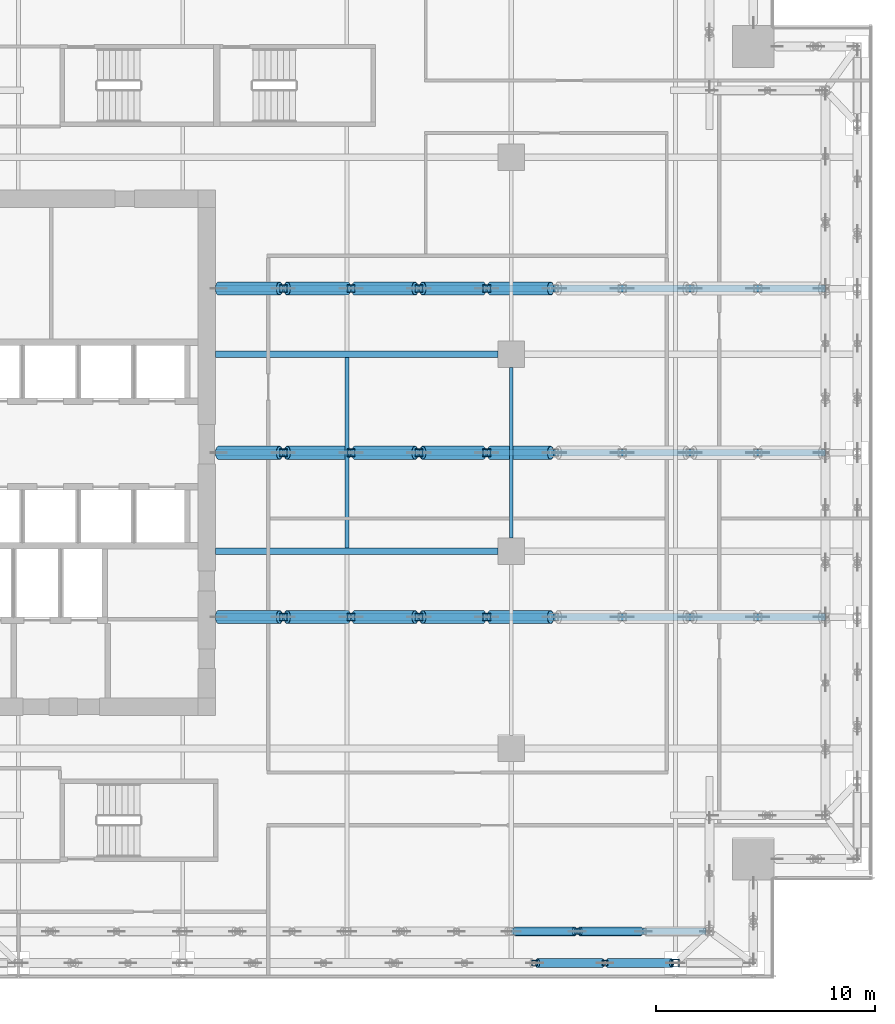
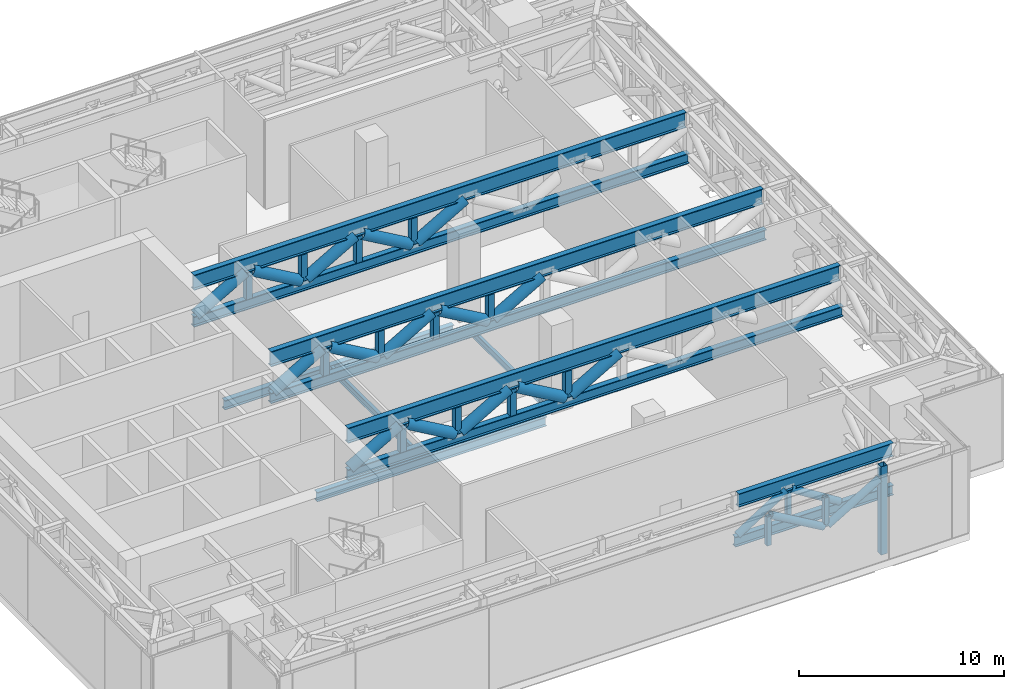
# One storey, part 9 of 36: 43 members, 4 beams.
"""IFC4 building model written with IfcOpenShell, lengths in metres."""

import ifcopenshell
import ifcopenshell.guid

model = None  # the IFC model being written
_history = None  # IfcOwnerHistory: only IFC2X3 demands one
_inside = {}  # id of a spatial element -> (the spatial element, [elements in it])
_under = {}  # id of a project, library or spatial element -> (it, [spatial elements below it])
_declared = {}  # id of a project -> (the project, [libraries it declares])
_typed = {}  # id of a type object -> (the type object, [elements of that type])
_made_of = {}  # id of a material, layer set ... -> (it, [elements and type objects made of it])


def new_model(schema):
    """Start an empty IFC model of exactly this schema.

    Asked for "IFC4X3", IfcOpenShell would pick the latest addendum, in which some entities
    have other attributes; the version numbers below select the first issue.
    IFC2X3 requires an IfcOwnerHistory on every rooted entity: one is made here for all.
    """
    global model, _history
    if schema == "IFC4X3":
        model = ifcopenshell.file(schema_version=(4, 3, 0, 0))
    else:
        model = ifcopenshell.file(schema=schema)
    _inside.clear()
    _under.clear()
    _declared.clear()
    _typed.clear()
    _made_of.clear()
    _history = None
    if model.schema == "IFC2X3":
        org = make("IfcOrganization", Name="unknown")
        user = make(
            "IfcPersonAndOrganization",
            ThePerson=make("IfcPerson", FamilyName="unknown"),
            TheOrganization=org,
        )
        app = make(
            "IfcApplication",
            ApplicationDeveloper=org,
            Version="unknown",
            ApplicationFullName="unknown",
            ApplicationIdentifier="unknown",
        )
        _history = make(
            "IfcOwnerHistory",
            OwningUser=user,
            OwningApplication=app,
            ChangeAction="ADDED",
            CreationDate=0,
        )
    return model


def make(cls, **values):
    """One entity of the class cls with the attributes given. An attribute that is None is left unset."""
    return model.create_entity(
        cls, **{name: value for name, value in values.items() if value is not None}
    )


def rooted(cls, **values):
    """An entity with a GlobalId (a new one), such as an element, a storey or a relation."""
    return make(cls, GlobalId=ifcopenshell.guid.new(), OwnerHistory=_history, **values)


def si_unit(unit_type, name, prefix=None):
    """IfcSIUnit, for example si_unit("LENGTHUNIT", "METRE", prefix="MILLI")."""
    return make("IfcSIUnit", UnitType=unit_type, Prefix=prefix, Name=name)


def assignment(units):
    """IfcUnitAssignment: the units of a project."""
    return None if units is None else make("IfcUnitAssignment", Units=units)


def point(xyz):
    """IfcCartesianPoint."""
    return None if xyz is None else make("IfcCartesianPoint", Coordinates=xyz)


def direction(xyz):
    """IfcDirection."""
    return None if xyz is None else make("IfcDirection", DirectionRatios=xyz)


def frame(location, z_axis=None, x_axis=None):
    """IfcAxis2Placement3D, a coordinate frame: its origin and axes. An axis left out is left unset."""
    return make(
        "IfcAxis2Placement3D",
        Location=point(location),
        Axis=direction(z_axis),
        RefDirection=direction(x_axis),
    )


def frame_2d(location, x_axis=None):
    """IfcAxis2Placement2D, a coordinate frame in the plane: its origin and x axis."""
    return make(
        "IfcAxis2Placement2D", Location=point(location), RefDirection=direction(x_axis)
    )


def origin():
    """The frame at (0, 0, 0) with its axes left unset."""
    return frame((0.0, 0.0, 0.0))


def origin_2d():
    """The frame at (0, 0) in the plane with its x axis left unset."""
    return frame_2d((0.0, 0.0))


def place(relative_to, where):
    """IfcLocalPlacement: puts the frame where relative to a parent placement (None: the world)."""
    return make(
        "IfcLocalPlacement", PlacementRelTo=relative_to, RelativePlacement=where
    )


def context(
    kind, dimensions, precision=None, world=None, true_north=None, identifier=None
):
    """IfcGeometricRepresentationContext, for example the 3D "Model" context."""
    return make(
        "IfcGeometricRepresentationContext",
        ContextIdentifier=identifier,
        ContextType=kind,
        CoordinateSpaceDimension=dimensions,
        Precision=precision,
        WorldCoordinateSystem=world,
        TrueNorth=true_north,
    )


def subcontext(parent, identifier, kind, view, scale=None):
    """IfcGeometricRepresentationSubContext, for example "Body" below "Model"."""
    return make(
        "IfcGeometricRepresentationSubContext",
        ContextIdentifier=identifier,
        ContextType=kind,
        ParentContext=parent,
        TargetScale=scale,
        TargetView=view,
    )


def project(units=None, contexts=None):
    """IfcProject with its units and contexts."""
    return rooted(
        "IfcProject",
        Name="project",
        RepresentationContexts=contexts,
        UnitsInContext=assignment(units),
    )


def spatial(cls, under=None, at=None, **own):
    """A site, building, storey or space (cls), placed at a placement, below another one or the project."""
    s = rooted(cls, ObjectPlacement=at, **own)
    if under is not None:
        _under.setdefault(under.id(), (under, []))[1].append(s)
    return s


def profile(cls, at=None, kind="AREA", **sizes):
    """A parametric profile (cls). Its sizes go by their IFC names, for example OverallWidth=200.0."""
    return make(cls, ProfileType=kind, Position=at, **sizes)


def hollow_rectangle(**sizes):
    """IfcRectangleHollowProfileDef."""
    return profile("IfcRectangleHollowProfileDef", **sizes)


def hollow_circle(**sizes):
    """IfcCircleHollowProfileDef."""
    return profile("IfcCircleHollowProfileDef", **sizes)


def i_section(**sizes):
    """IfcIShapeProfileDef."""
    return profile("IfcIShapeProfileDef", **sizes)


def extrude(swept, where, along, depth):
    """IfcExtrudedAreaSolid: the profile swept, set in the frame where, extruded along a direction by depth."""
    return make(
        "IfcExtrudedAreaSolid",
        SweptArea=swept,
        Position=where,
        ExtrudedDirection=direction(along),
        Depth=depth,
    )


def shape(context_of_items, identifier, shape_type, items):
    """IfcShapeRepresentation: the items that make up one representation, for example the "Body"."""
    return make(
        "IfcShapeRepresentation",
        ContextOfItems=context_of_items,
        RepresentationIdentifier=identifier,
        RepresentationType=shape_type,
        Items=items,
    )


def source(mapping_origin, context_of_items, identifier, shape_type, items):
    """IfcRepresentationMap: a shape defined once, which mapped items show again and again."""
    return make(
        "IfcRepresentationMap",
        MappingOrigin=mapping_origin,
        MappedRepresentation=shape(context_of_items, identifier, shape_type, items),
    )


def transform(
    local_origin,
    x_axis=None,
    y_axis=None,
    z_axis=None,
    scale=None,
    scale2=None,
    scale3=None,
    uniform=True,
):
    """IfcCartesianTransformationOperator3D, or its non-uniform kind. x_axis, y_axis, z_axis: its Axis1, 2, 3."""
    if uniform:
        return make(
            "IfcCartesianTransformationOperator3D",
            Axis1=direction(x_axis),
            Axis2=direction(y_axis),
            LocalOrigin=point(local_origin),
            Scale=scale,
            Axis3=direction(z_axis),
        )
    return make(
        "IfcCartesianTransformationOperator3DnonUniform",
        Axis1=direction(x_axis),
        Axis2=direction(y_axis),
        LocalOrigin=point(local_origin),
        Scale=scale,
        Axis3=direction(z_axis),
        Scale2=scale2,
        Scale3=scale3,
    )


def mapped(mapping_source, mapping_target):
    """IfcMappedItem: shows the shape of a source again, moved by a transform."""
    return make(
        "IfcMappedItem", MappingSource=mapping_source, MappingTarget=mapping_target
    )


def material(Name=None, Category=None):
    """IfcMaterial."""
    return make("IfcMaterial", Name=Name, Category=Category)


def material_profile(
    of_material, cross_section, Name=None, Category=None, Priority=None
):
    """IfcMaterialProfile: a cross section and its material."""
    return make(
        "IfcMaterialProfile",
        Name=Name,
        Material=of_material,
        Profile=cross_section,
        Priority=Priority,
        Category=Category,
    )


def profile_set(profiles, Name=None, composite=None):
    """IfcMaterialProfileSet."""
    return make(
        "IfcMaterialProfileSet",
        Name=Name,
        MaterialProfiles=profiles,
        CompositeProfile=composite,
    )


def made_of(thing, what):
    """Note that an element or type object is made of a material, layer set ...; save() writes the relation."""
    if what is not None:
        _made_of.setdefault(what.id(), (what, []))[1].append(thing)
    return thing


def type_object(cls, material=None, **own):
    """A type object (cls), such as IfcWallType, which elements share."""
    return made_of(rooted(cls, **own), material)


def element(
    cls,
    number,
    at=None,
    inside=None,
    cuts=None,
    type_object=None,
    material=None,
    context=None,
    identifier="Body",
    shape_type=None,
    held_by="IfcProductDefinitionShape",
    body=None,
    shapes=None,
    **own,
):
    """One element of the class cls, such as IfcWall. Its Tag is "e" and its number.

    at: its placement. inside: the storey or other place that contains it. cuts: it is an
    opening in that element (IfcRelVoidsElement). A single representation is given by context,
    identifier, shape_type and body (its items); several are given by shapes. held_by: the class
    of the entity that holds the representations. save() writes the other relations.
    """
    e = rooted(cls, Tag="e%d" % number, ObjectPlacement=at, **own)
    if body is not None:
        shapes = [shape(context, identifier, shape_type, body)]
    if shapes is not None:
        e.Representation = make(held_by, Representations=shapes)
    if inside is not None:
        _inside.setdefault(inside.id(), (inside, []))[1].append(e)
    if cuts is not None:
        rooted(
            "IfcRelVoidsElement", RelatingBuildingElement=cuts, RelatedOpeningElement=e
        )
    if type_object is not None:
        _typed.setdefault(type_object.id(), (type_object, []))[1].append(e)
    return made_of(e, material)


def aggregate(whole, parts):
    """IfcRelAggregates: a whole, such as a stair, and the parts it consists of."""
    return rooted("IfcRelAggregates", RelatingObject=whole, RelatedObjects=parts)


def save(model, path):
    """Write the relations noted so far, then the file.

    IfcRelAggregates (storeys below a building ...), IfcRelContainedInSpatialStructure (elements
    in a storey), IfcRelDefinesByType, IfcRelAssociatesMaterial and IfcRelDeclares: one each for
    every whole, place, type object, material and project.
    """
    for whole, parts in _under.values():
        aggregate(whole, parts)
    for where, things in _inside.values():
        rooted(
            "IfcRelContainedInSpatialStructure",
            RelatedElements=things,
            RelatingStructure=where,
        )
    for kind, things in _typed.values():
        rooted("IfcRelDefinesByType", RelatedObjects=things, RelatingType=kind)
    for what, things in _made_of.values():
        rooted("IfcRelAssociatesMaterial", RelatedObjects=things, RelatingMaterial=what)
    for by, libraries in _declared.values():
        rooted("IfcRelDeclares", RelatingContext=by, RelatedDefinitions=libraries)
    model.write(path)


model = new_model("IFC4")

# Units and contexts
model_context = context("Model", 3, precision=1e-05, world=origin(), true_north=direction((0.0, 1.0)))
body_context = subcontext(model_context, "Body", "Model", "MODEL_VIEW")
ifc_project = project(units=[si_unit("LENGTHUNIT", "METRE"), si_unit("AREAUNIT", "SQUARE_METRE"), si_unit("VOLUMEUNIT", "CUBIC_METRE"), si_unit("PLANEANGLEUNIT", "RADIAN"), si_unit("MASSUNIT", "GRAM", prefix="KILO")], contexts=[model_context])

# Site, building, storey
site_placement = place(None, origin())
site = spatial("IfcSite", under=ifc_project, at=site_placement, CompositionType="ELEMENT")
building_placement = place(site_placement, origin())
building = spatial("IfcBuilding", under=site, at=building_placement, Name="Khomas Fold Tower", CompositionType="ELEMENT")
storey_placement = place(building_placement, frame((0.0, 0.0, 216.699951171875)))
storey = spatial("IfcBuildingStorey", under=building, at=storey_placement, Name="L48", CompositionType="ELEMENT", Elevation=216.699951171875)

# Beams
ifc_material_1 = material(Name="Steel S355", Category="steel")
ifc_material_profile_1 = material_profile(ifc_material_1, i_section(OverallWidth=0.179931640625, OverallDepth=0.39990234375, WebThickness=0.008544921875, FlangeThickness=0.013427734375, at=origin_2d()), Name="IPE 400")
ifc_profile_set_1 = profile_set([ifc_material_profile_1], Name="Steel S355")
beam_type_1 = type_object("IfcBeamType", Name="IPE 400 beam JB3", PredefinedType="BEAM", material=ifc_profile_set_1)
shared_shape_1 = source(origin(), body_context, "Body", "SweptSolid", [
    extrude(i_section(OverallWidth=0.179931640625, OverallDepth=0.39990234375, WebThickness=0.008544921875, FlangeThickness=0.013427734375, at=origin_2d()), origin(), (0.0, 0.0, 1.0), 8.7001953125),
])
beam_1_placement = place(storey_placement, frame((27.0, 22.64990234375, -0.599853515625), z_axis=(0.0, 1.0, 0.0), x_axis=(-1.0, 0.0, 0.0)))
element("IfcBeam", 1, at=beam_1_placement, inside=storey, type_object=beam_type_1, Name="JB3", PredefinedType="BEAM", context=body_context, shape_type="MappedRepresentation", body=[
    mapped(shared_shape_1, transform((0.0, 0.0, 0.0))),
])
ifc_material_2 = material(Name="Steel S355", Category="steel")
ifc_material_profile_2 = material_profile(ifc_material_2, i_section(OverallWidth=0.300048828125, OverallDepth=0.550048828125, WebThickness=0.014892578125, FlangeThickness=0.029052734375, at=origin_2d()), Name="HE 550 B")
ifc_profile_set_2 = profile_set([ifc_material_profile_2], Name="Steel S355")
beam_type_2 = type_object("IfcBeamType", Name="HE 550 B beam GB4", PredefinedType="BEAM", material=ifc_profile_set_2)
shared_shape_2 = source(origin(), body_context, "Body", "SweptSolid", [
    extrude(i_section(OverallWidth=0.300048828125, OverallDepth=0.550048828125, WebThickness=0.014892578125, FlangeThickness=0.029052734375, at=origin_2d()), origin(), (0.0, 0.0, 1.0), 12.89990234375),
])
for number, where, z_axis, x_axis, name in (
    (2, (21.0, 22.5, -0.675048828125), (1.0, 0.0, 0.0), (0.0, 1.0, 0.0), "GB4"),
    (3, (21.0, 31.5, -0.675048828125), (1.0, 0.0, 0.0), (0.0, 1.0, 0.0), "GB4"),
):
    element("IfcBeam", number, at=place(storey_placement, frame(where, z_axis=z_axis, x_axis=x_axis)), inside=storey, type_object=beam_type_2, Name=name, PredefinedType="BEAM", context=body_context, shape_type="MappedRepresentation", body=[
        mapped(shared_shape_2, transform((0.0, 0.0, 0.0))),
    ])
shared_shape_3 = source(origin(), body_context, "Body", "SweptSolid", [
    extrude(i_section(OverallWidth=0.179931640625, OverallDepth=0.39990234375, WebThickness=0.008544921875, FlangeThickness=0.013427734375, at=origin_2d()), origin(), (0.0, 0.0, 1.0), 7.7998046875),
])
beam_2_placement = place(storey_placement, frame((34.5, 23.10009765625, -0.599853515625), z_axis=(0.0, 1.0, 0.0), x_axis=(-1.0, 0.0, 0.0)))
element("IfcBeam", 4, at=beam_2_placement, inside=storey, type_object=beam_type_1, Name="JB3", PredefinedType="BEAM", context=body_context, shape_type="MappedRepresentation", body=[
    mapped(shared_shape_3, transform((0.0, 0.0, 0.0))),
])

# Members
ifc_material_3 = material(Name="Steel S355", Category="steel")
ifc_material_profile_3 = material_profile(ifc_material_3, hollow_rectangle(XDim=0.25, YDim=0.25, WallThickness=0.01611328125, at=origin_2d()), Name="SHS 250x250x16")
ifc_profile_set_3 = profile_set([ifc_material_profile_3], Name="Steel S355")
member_type_1 = type_object("IfcMemberType", Name="BELT TRUSS 3 MID POST SHS 250x250x16", PredefinedType="POST", material=ifc_profile_set_3)
shared_shape_4 = source(origin(), body_context, "Body", "SweptSolid", [
    extrude(hollow_rectangle(XDim=0.25, YDim=0.25, WallThickness=0.01611328125, at=origin_2d()), origin(), (0.0, 0.0, 1.0), 1.719970703125),
])
for number, where, z_axis, x_axis, name in (
    (5, (35.571533203125, 3.699951171875, 2.739990234375), (0.0, 0.0, 1.0), (1.0, 0.0, 0.0), "BT3-M"),
    (6, (38.78564453125, 3.699951171875, 2.739990234375), (0.0, 0.0, 1.0), (1.0, 0.0, 0.0), "BT3-M"),
    (7, (37.5166015625, 5.14990234375, 2.739990234375), (0.0, 0.0, 1.0), (1.0, 0.0, 0.0), "BT3-M"),
):
    element("IfcMember", number, at=place(storey_placement, frame(where, z_axis=z_axis, x_axis=x_axis)), inside=storey, type_object=member_type_1, Name=name, PredefinedType="POST", context=body_context, shape_type="MappedRepresentation", body=[
        mapped(shared_shape_4, transform((0.0, 0.0, 0.0))),
    ])
ifc_material_4 = material(Name="Steel S355", Category="steel")
ifc_material_profile_4 = material_profile(ifc_material_4, hollow_circle(Radius=0.203125, WallThickness=0.012451171875, at=origin_2d()), Name="CHS 406.4x12.5")
ifc_profile_set_4 = profile_set([ifc_material_profile_4], Name="Steel S355")
member_type_2 = type_object("IfcMemberType", Name="BELT TRUSS 3 DIAGONAL CHS 406.4x12.5", PredefinedType="BRACE", material=ifc_profile_set_4)
shared_shape_5 = source(origin(), body_context, "Body", "SweptSolid", [
    extrude(hollow_circle(Radius=0.203125, WallThickness=0.012451171875, at=origin_2d()), origin(), (0.0, 0.0, 1.0), 3.38916015625),
])
member_1_placement = place(storey_placement, frame((38.91064453125, 3.699951171875, 2.735107421875), z_axis=(0.859905139514, 0.0, 0.510453867688), x_axis=(0.0, 1.0, 0.0)))
element("IfcMember", 8, at=member_1_placement, inside=storey, type_object=member_type_2, Name="BT3-D", PredefinedType="BRACE", context=body_context, shape_type="MappedRepresentation", body=[
    mapped(shared_shape_5, transform((0.0, 0.0, 0.0))),
])
shared_shape_6 = source(origin(), body_context, "Body", "SweptSolid", [
    extrude(hollow_circle(Radius=0.203125, WallThickness=0.012451171875, at=origin_2d()), origin(), (0.0, 0.0, 1.0), 3.43212890625),
])
member_2_placement = place(storey_placement, frame((35.696533203125, 3.699951171875, 4.465087890625), z_axis=(0.863662775089, 0.0, -0.504070045654), x_axis=(0.0, 1.0, 0.0)))
element("IfcMember", 9, at=member_2_placement, inside=storey, type_object=member_type_2, Name="BT3-D", PredefinedType="BRACE", context=body_context, shape_type="MappedRepresentation", body=[
    mapped(shared_shape_6, transform((0.0, 0.0, 0.0))),
])
ifc_material_5 = material(Name="Steel S355", Category="steel")
ifc_material_profile_5 = material_profile(ifc_material_5, i_section(OverallWidth=0.300048828125, OverallDepth=0.7900390625, WebThickness=0.014892578125, FlangeThickness=0.028076171875, at=origin_2d()), Name="HE 800 A")
ifc_profile_set_5 = profile_set([ifc_material_profile_5], Name="Steel S355")
member_type_3 = type_object("IfcMemberType", Name="BELT TRUSS 3 TOP CHORD LONG HE 800 A", PredefinedType="CHORD", material=ifc_profile_set_5)
shared_shape_7 = source(origin(), body_context, "Body", "SweptSolid", [
    extrude(i_section(OverallWidth=0.300048828125, OverallDepth=0.7900390625, WebThickness=0.014892578125, FlangeThickness=0.028076171875, at=origin_2d()), origin(), (0.0, 0.0, 1.0), 8.699951171875),
])
member_3_placement = place(storey_placement, frame((34.675048828125, 5.14990234375, 4.85498046875), z_axis=(1.0, 0.0, 0.0), x_axis=(0.0, 1.0, 0.0)))
element("IfcMember", 10, at=member_3_placement, inside=storey, type_object=member_type_3, Name="BT3-CTL", PredefinedType="CHORD", context=body_context, shape_type="MappedRepresentation", body=[
    mapped(shared_shape_7, transform((0.0, 0.0, 0.0))),
])
ifc_material_6 = material(Name="Steel S355", Category="steel")
ifc_material_profile_6 = material_profile(ifc_material_6, i_section(OverallWidth=0.300048828125, OverallDepth=0.590087890625, WebThickness=0.012939453125, FlangeThickness=0.02490234375, at=origin_2d()), Name="HE 600 A")
ifc_profile_set_6 = profile_set([ifc_material_profile_6], Name="Steel S355")
member_type_4 = type_object("IfcMemberType", Name="BELT TRUSS 3 BOTTOM CHORD LONG HE 600 A", PredefinedType="CHORD", material=ifc_profile_set_6)
shared_shape_8 = source(origin(), body_context, "Body", "SweptSolid", [
    extrude(i_section(OverallWidth=0.300048828125, OverallDepth=0.590087890625, WebThickness=0.012939453125, FlangeThickness=0.02490234375, at=origin_2d()), origin(), (0.0, 0.0, 1.0), 8.89990234375),
])
member_4_placement = place(storey_placement, frame((34.5, 5.14990234375, 2.445068359375), z_axis=(1.0, 0.0, 0.0), x_axis=(0.0, 1.0, 0.0)))
element("IfcMember", 11, at=member_4_placement, inside=storey, type_object=member_type_4, Name="BT3-CBL", PredefinedType="CHORD", context=body_context, shape_type="MappedRepresentation", body=[
    mapped(shared_shape_8, transform((0.0, 0.0, 0.0))),
])
shared_shape_9 = source(origin(), body_context, "Body", "SweptSolid", [
    extrude(hollow_circle(Radius=0.203125, WallThickness=0.012451171875, at=origin_2d()), origin(), (0.0, 0.0, 1.0), 3.220703125),
])
member_5_placement = place(storey_placement, frame((34.675048828125, 5.14990234375, 2.735107421875), z_axis=(0.843483522339, 0.0, 0.537155049815), x_axis=(0.0, 1.0, 0.0)))
element("IfcMember", 12, at=member_5_placement, inside=storey, type_object=member_type_2, Name="BT3-D", PredefinedType="BRACE", context=body_context, shape_type="MappedRepresentation", body=[
    mapped(shared_shape_9, transform((0.0, 0.0, 0.0))),
])
shared_shape_10 = source(origin(), body_context, "Body", "SweptSolid", [
    extrude(hollow_circle(Radius=0.203125, WallThickness=0.012451171875, at=origin_2d()), origin(), (0.0, 0.0, 1.0), 3.26318359375),
])
member_6_placement = place(storey_placement, frame((37.6416015625, 5.14990234375, 4.465087890625), z_axis=(0.847901616183, 0.0, -0.53015360913), x_axis=(0.0, 1.0, 0.0)))
element("IfcMember", 13, at=member_6_placement, inside=storey, type_object=member_type_2, Name="BT3-D", PredefinedType="BRACE", context=body_context, shape_type="MappedRepresentation", body=[
    mapped(shared_shape_10, transform((0.0, 0.0, 0.0))),
])
ifc_material_7 = material(Name="Steel S355", Category="steel")
ifc_material_profile_7 = material_profile(ifc_material_7, hollow_rectangle(XDim=0.35009765625, YDim=0.35009765625, WallThickness=0.01611328125, at=origin_2d()), Name="SHS 350x350x16")
ifc_profile_set_7 = profile_set([ifc_material_profile_7], Name="Steel S355")
member_type_5 = type_object("IfcMemberType", Name="BELT TRUSS 3 COLUMN POST SHS 350x350x16", PredefinedType="POST", material=ifc_profile_set_7)
shared_shape_11 = source(origin(), body_context, "Body", "SweptSolid", [
    extrude(hollow_rectangle(XDim=0.35009765625, YDim=0.35009765625, WallThickness=0.01611328125, at=origin_2d()), origin(), (0.0, 0.0, 1.0), 5.25),
])
member_7_placement = place(storey_placement, frame((42.0, 3.699951171875, 0.0), z_axis=(0.0, 0.0, 1.0), x_axis=(1.0, 0.0, 0.0)))
element("IfcMember", 14, at=member_7_placement, inside=storey, type_object=member_type_5, Name="BT3-P", PredefinedType="POST", context=body_context, shape_type="MappedRepresentation", body=[
    mapped(shared_shape_11, transform((0.0, 0.0, 0.0))),
])
ifc_material_8 = material(Name="Steel S460M", Category="steel")
ifc_material_profile_8 = material_profile(ifc_material_8, i_section(OverallWidth=0.302001953125, OverallDepth=0.909912109375, WebThickness=0.02099609375, FlangeThickness=0.0400390625, at=origin_2d()), Name="HE 900 M")
ifc_profile_set_8 = profile_set([ifc_material_profile_8], Name="Steel S460M")
member_type_6 = type_object("IfcMemberType", Name="OUTRIGGER 2 TOP CHORD HE 900 M", PredefinedType="CHORD", material=ifc_profile_set_8)
shared_shape_12 = source(origin(), body_context, "Body", "SweptSolid", [
    extrude(i_section(OverallWidth=0.302001953125, OverallDepth=0.909912109375, WebThickness=0.02099609375, FlangeThickness=0.0400390625, at=origin_2d()), origin(), (0.0, 0.0, 1.0), 27.675048828125),
])
for number, where, z_axis, x_axis, name in (
    (15, (21.0, 19.5, 4.795166015625), (1.0, 0.0, 0.0), (0.0, 1.0, 0.0), "OR2-CT"),
    (16, (21.0, 27.0, 4.795166015625), (1.0, 0.0, 0.0), (0.0, 1.0, 0.0), "OR2-CT"),
    (17, (21.0, 34.5, 4.795166015625), (1.0, 0.0, 0.0), (0.0, 1.0, 0.0), "OR2-CT"),
):
    element("IfcMember", number, at=place(storey_placement, frame(where, z_axis=z_axis, x_axis=x_axis)), inside=storey, type_object=member_type_6, Name=name, PredefinedType="CHORD", context=body_context, shape_type="MappedRepresentation", body=[
        mapped(shared_shape_12, transform((0.0, 0.0, 0.0))),
    ])
ifc_material_9 = material(Name="Steel S460M", Category="steel")
ifc_material_profile_9 = material_profile(ifc_material_9, i_section(OverallWidth=0.304931640625, OverallDepth=0.6201171875, WebThickness=0.02099609375, FlangeThickness=0.0400390625, at=origin_2d()), Name="HE 600 M")
ifc_profile_set_9 = profile_set([ifc_material_profile_9], Name="Steel S460M")
member_type_7 = type_object("IfcMemberType", Name="OUTRIGGER 2 BOTTOM CHORD HE 600 M", PredefinedType="CHORD", material=ifc_profile_set_9)
shared_shape_13 = source(origin(), body_context, "Body", "SweptSolid", [
    extrude(i_section(OverallWidth=0.304931640625, OverallDepth=0.6201171875, WebThickness=0.02099609375, FlangeThickness=0.0400390625, at=origin_2d()), origin(), (0.0, 0.0, 1.0), 27.85009765625),
])
for number, where, z_axis, x_axis, name in (
    (18, (21.0, 19.5, 2.4599609375), (1.0, 0.0, 0.0), (0.0, 1.0, 0.0), "OR2-CB"),
    (19, (21.0, 27.0, 2.4599609375), (1.0, 0.0, 0.0), (0.0, 1.0, 0.0), "OR2-CB"),
    (20, (21.0, 34.5, 2.4599609375), (1.0, 0.0, 0.0), (0.0, 1.0, 0.0), "OR2-CB"),
):
    element("IfcMember", number, at=place(storey_placement, frame(where, z_axis=z_axis, x_axis=x_axis)), inside=storey, type_object=member_type_7, Name=name, PredefinedType="CHORD", context=body_context, shape_type="MappedRepresentation", body=[
        mapped(shared_shape_13, transform((0.0, 0.0, 0.0))),
    ])
ifc_material_10 = material(Name="Steel S355", Category="steel")
ifc_material_profile_10 = material_profile(ifc_material_10, hollow_circle(Radius=0.304931640625, WallThickness=0.02001953125, at=origin_2d()), Name="CHS 610x20")
ifc_profile_set_10 = profile_set([ifc_material_profile_10], Name="Steel S355")
member_type_8 = type_object("IfcMemberType", Name="OUTRIGGER 2 DIAGONAL CHS 610x20", PredefinedType="BRACE", material=ifc_profile_set_10)
shared_shape_14 = source(origin(), body_context, "Body", "SweptSolid", [
    extrude(hollow_circle(Radius=0.304931640625, WallThickness=0.02001953125, at=origin_2d()), origin(), (0.0, 0.0, 1.0), 3.193115234375),
])
for number, where, z_axis, x_axis, name in (
    (21, (21.14453125, 19.5, 2.76513671875), (0.869027811812, 0.0, 0.494763238627), (0.0, 1.0, 0.0), "OR2-D"),
    (22, (21.14453125, 27.0, 2.76513671875), (0.869027811812, 0.0, 0.494763238627), (0.0, 1.0, 0.0), "OR2-D"),
    (23, (21.14453125, 34.5, 2.76513671875), (0.869027811812, 0.0, 0.494763238627), (0.0, 1.0, 0.0), "OR2-D"),
):
    element("IfcMember", number, at=place(storey_placement, frame(where, z_axis=z_axis, x_axis=x_axis)), inside=storey, type_object=member_type_8, Name=name, PredefinedType="BRACE", context=body_context, shape_type="MappedRepresentation", body=[
        mapped(shared_shape_14, transform((0.0, 0.0, 0.0))),
    ])
shared_shape_15 = source(origin(), body_context, "Body", "SweptSolid", [
    extrude(hollow_circle(Radius=0.304931640625, WallThickness=0.02001953125, at=origin_2d()), origin(), (0.0, 0.0, 1.0), 3.166748046875),
])
for number, where, z_axis, x_axis, name in (
    (24, (24.26953125, 19.5, 4.344970703125), (0.866658823568, 0.0, -0.498901276338), (0.0, 1.0, 0.0), "OR2-D"),
    (25, (27.36376953125, 19.5, 2.76513671875), (0.866678011533, 0.0, 0.498867942771), (0.0, 1.0, 0.0), "OR2-D"),
    (26, (30.458251953125, 19.5, 4.344970703125), (0.866678011533, 0.0, -0.498867942771), (0.0, 1.0, 0.0), "OR2-D"),
    (27, (33.552734375, 19.5, 2.76513671875), (0.866658823568, 0.0, 0.498901276338), (0.0, 1.0, 0.0), "OR2-D"),
    (28, (24.26953125, 27.0, 4.344970703125), (0.866658823568, 0.0, -0.498901276338), (0.0, 1.0, 0.0), "OR2-D"),
    (29, (27.36376953125, 27.0, 2.76513671875), (0.866678011533, 0.0, 0.498867942771), (0.0, 1.0, 0.0), "OR2-D"),
    (30, (30.458251953125, 27.0, 4.344970703125), (0.866678011533, 0.0, -0.498867942771), (0.0, 1.0, 0.0), "OR2-D"),
    (31, (33.552734375, 27.0, 2.76513671875), (0.866658823568, 0.0, 0.498901276338), (0.0, 1.0, 0.0), "OR2-D"),
    (32, (24.26953125, 34.5, 4.344970703125), (0.866658823568, 0.0, -0.498901276338), (0.0, 1.0, 0.0), "OR2-D"),
    (33, (27.36376953125, 34.5, 2.76513671875), (0.866678011533, 0.0, 0.498867942771), (0.0, 1.0, 0.0), "OR2-D"),
    (34, (30.458251953125, 34.5, 4.344970703125), (0.866678011533, 0.0, -0.498867942771), (0.0, 1.0, 0.0), "OR2-D"),
    (35, (33.552734375, 34.5, 2.76513671875), (0.866658823568, 0.0, 0.498901276338), (0.0, 1.0, 0.0), "OR2-D"),
):
    element("IfcMember", number, at=place(storey_placement, frame(where, z_axis=z_axis, x_axis=x_axis)), inside=storey, type_object=member_type_8, Name=name, PredefinedType="BRACE", context=body_context, shape_type="MappedRepresentation", body=[
        mapped(shared_shape_15, transform((0.0, 0.0, 0.0))),
    ])
ifc_material_11 = material(Name="Steel S355", Category="steel")
ifc_material_profile_11 = material_profile(ifc_material_11, hollow_rectangle(XDim=0.35009765625, YDim=0.35009765625, WallThickness=0.01611328125, at=origin_2d()), Name="SHS 350x350x16")
ifc_profile_set_11 = profile_set([ifc_material_profile_11], Name="Steel S355")
member_type_9 = type_object("IfcMemberType", Name="OUTRIGGER 2 MID POST SHS 350x350x16", PredefinedType="POST", material=ifc_profile_set_11)
shared_shape_16 = source(origin(), body_context, "Body", "SweptSolid", [
    extrude(hollow_rectangle(XDim=0.35009765625, YDim=0.35009765625, WallThickness=0.01611328125, at=origin_2d()), origin(), (0.0, 0.0, 1.0), 1.570068359375),
])
for number, where, z_axis, x_axis, name in (
    (36, (24.094482421875, 19.5, 2.77001953125), (0.0, 0.0, 1.0), (1.0, 0.0, 0.0), "OR2-M"),
    (37, (27.18896484375, 19.5, 2.77001953125), (0.0, 0.0, 1.0), (1.0, 0.0, 0.0), "OR2-M"),
    (38, (30.283447265625, 19.5, 2.77001953125), (0.0, 0.0, 1.0), (1.0, 0.0, 0.0), "OR2-M"),
    (39, (33.377685546875, 19.5, 2.77001953125), (0.0, 0.0, 1.0), (1.0, 0.0, 0.0), "OR2-M"),
    (40, (24.094482421875, 27.0, 2.77001953125), (0.0, 0.0, 1.0), (1.0, 0.0, 0.0), "OR2-M"),
    (41, (27.18896484375, 27.0, 2.77001953125), (0.0, 0.0, 1.0), (1.0, 0.0, 0.0), "OR2-M"),
    (42, (30.283447265625, 27.0, 2.77001953125), (0.0, 0.0, 1.0), (1.0, 0.0, 0.0), "OR2-M"),
    (43, (33.377685546875, 27.0, 2.77001953125), (0.0, 0.0, 1.0), (1.0, 0.0, 0.0), "OR2-M"),
    (44, (24.094482421875, 34.5, 2.77001953125), (0.0, 0.0, 1.0), (1.0, 0.0, 0.0), "OR2-M"),
    (45, (27.18896484375, 34.5, 2.77001953125), (0.0, 0.0, 1.0), (1.0, 0.0, 0.0), "OR2-M"),
    (46, (30.283447265625, 34.5, 2.77001953125), (0.0, 0.0, 1.0), (1.0, 0.0, 0.0), "OR2-M"),
    (47, (33.377685546875, 34.5, 2.77001953125), (0.0, 0.0, 1.0), (1.0, 0.0, 0.0), "OR2-M"),
):
    element("IfcMember", number, at=place(storey_placement, frame(where, z_axis=z_axis, x_axis=x_axis)), inside=storey, type_object=member_type_9, Name=name, PredefinedType="POST", context=body_context, shape_type="MappedRepresentation", body=[
        mapped(shared_shape_16, transform((0.0, 0.0, 0.0))),
    ])

save(model, "model.ifc")
